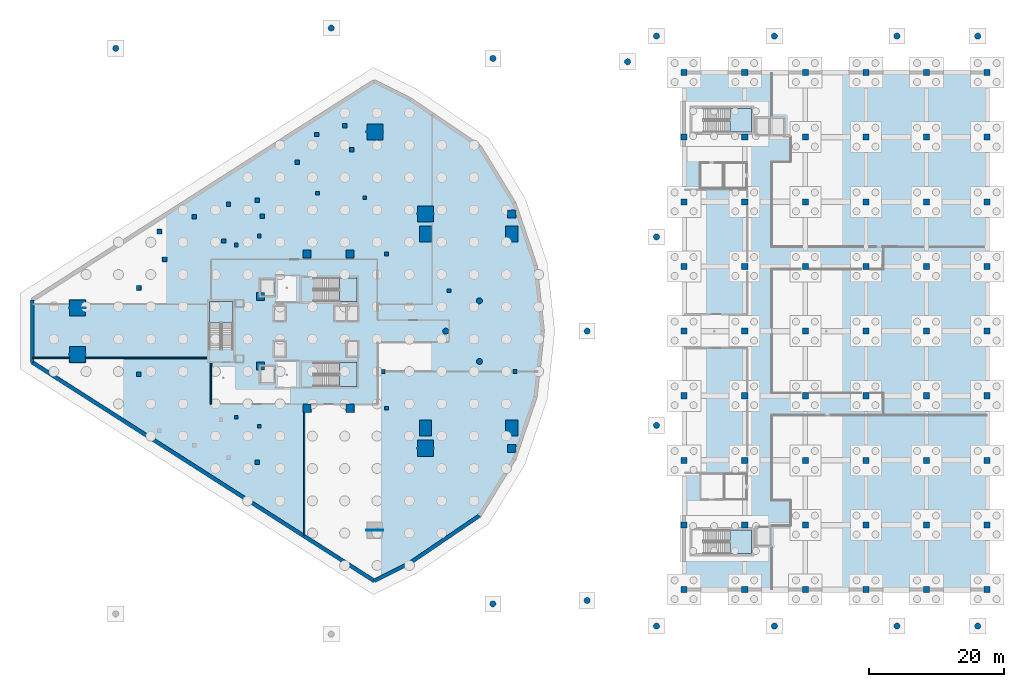
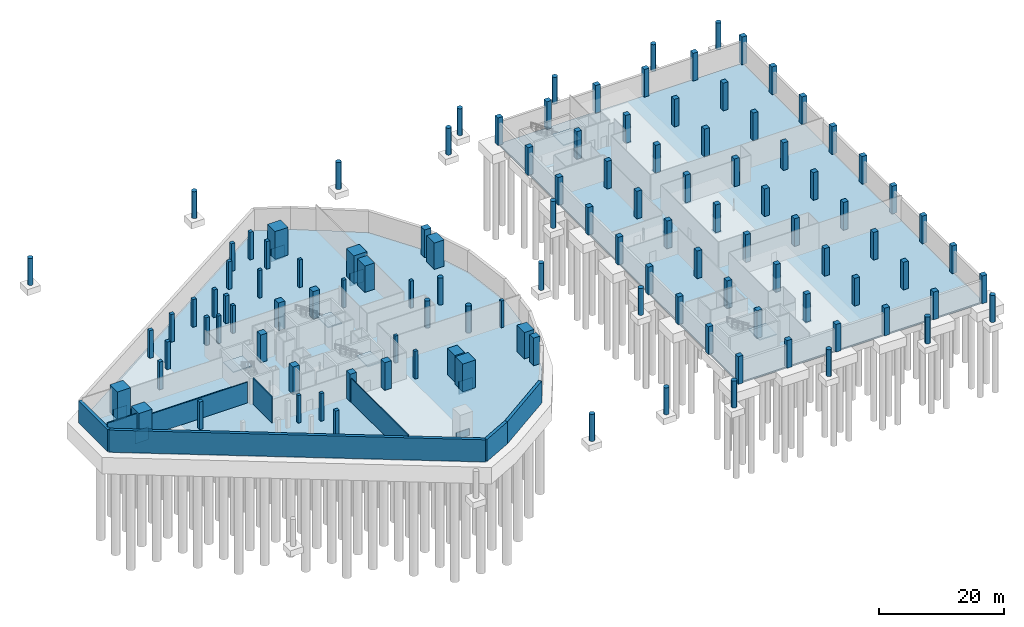
# One storey, part 4 of 22: 116 columns, 8 walls, 7 slabs, 6 plates, 5 elements without a shape of their own.
"""IFC4 building model written with IfcOpenShell, lengths in metres."""

from ifc_helpers import new_model, si_unit, direction, frame, frame_2d, origin, origin_2d, place, context, subcontext, project, spatial, polyline, rectangle, circle, outline, extrude, material, layer, layer_set, material_profile, profile_set, type_object, element, aggregate, save


model = new_model("IFC4")

# Units and contexts
model_context = context("Model", 3, precision=1e-05, world=origin(), true_north=direction((0.0, 1.0)))
body_context = subcontext(model_context, "Body", "Model", "MODEL_VIEW")
ifc_project = project(units=[si_unit("LENGTHUNIT", "METRE"), si_unit("AREAUNIT", "SQUARE_METRE"), si_unit("VOLUMEUNIT", "CUBIC_METRE"), si_unit("PLANEANGLEUNIT", "RADIAN"), si_unit("MASSUNIT", "GRAM", prefix="KILO")], contexts=[model_context])

# Site, building, storey
site_placement = place(None, origin())
site = spatial("IfcSite", under=ifc_project, at=site_placement, CompositionType="ELEMENT")
building_placement = place(site_placement, origin())
building = spatial("IfcBuilding", under=site, at=building_placement, Name="Qorvath Tower", CompositionType="ELEMENT")
storey_placement = place(building_placement, frame((0.0, 0.0, -5.39990234375)))
storey = spatial("IfcBuildingStorey", under=building, at=storey_placement, Name="B01", CompositionType="ELEMENT", Elevation=-5.39990234375)

# Columns
ifc_material_1 = material(Name="Concrete C70/85", Category="concrete")
ifc_material_profile_1 = material_profile(ifc_material_1, rectangle(XDim=1.800048828125, YDim=2.39990234375, at=origin_2d()), Name="ARCH 2400x1800")
ifc_profile_set_1 = profile_set([ifc_material_profile_1], Name="Concrete C70/85")
column_type_1 = type_object("IfcColumnType", Name="COL-ARCH1", PredefinedType="PILASTER", material=ifc_profile_set_1)
for number, where, z_axis, x_axis, name in (
    (1, (6.800048828125, 14.39990234375, 0.0), (0.0, 0.0, 1.0), (1.0, 0.0, 0.0), "Giant Arch Base Pier FRONT-N"),
    (2, (6.800048828125, -14.39990234375, 0.0), (0.0, 0.0, 1.0), (1.0, 0.0, 0.0), "Giant Arch Base Pier FRONT-S"),
    (3, (-6.0, 14.39990234375, 0.0), (0.0, 0.0, 1.0), (1.0, 0.0, 0.0), "Giant Arch Base Pier INNER-N"),
    (4, (-6.0, -14.39990234375, 0.0), (0.0, 0.0, 1.0), (1.0, 0.0, 0.0), "Giant Arch Base Pier INNER-S"),
):
    element("IfcColumn", number, at=place(storey_placement, frame(where, z_axis=z_axis, x_axis=x_axis)), inside=storey, type_object=column_type_1, Name=name, PredefinedType="PILASTER", context=body_context, shape_type="SweptSolid", body=[
        extrude(rectangle(XDim=1.800048828125, YDim=2.39990234375, at=origin_2d()), origin(), (0.0, 0.0, 1.0), 5.139892578125),
    ])
ifc_material_2 = material(Name="Concrete C70/85", Category="concrete")
ifc_material_profile_2 = material_profile(ifc_material_2, rectangle(XDim=2.39990234375, YDim=2.39990234375, at=origin_2d()), Name="MC 2400x2400")
ifc_profile_set_2 = profile_set([ifc_material_profile_2], Name="Concrete C70/85")
column_type_2 = type_object("IfcColumnType", Name="COL-MC1", PredefinedType="COLUMN", material=ifc_profile_set_2)
for number, where, z_axis, x_axis, name in (
    (5, (-57.679931640625, 3.4560546875, 0.0), (0.0, 0.0, 1.0), (1.0, 0.0, 0.0), "Composite Mega-Column MC1 B01"),
    (6, (-57.679931640625, -3.4560546875, 0.0), (0.0, 0.0, 1.0), (1.0, 0.0, 0.0), "Composite Mega-Column MC2 B01"),
    (7, (-6.0, -17.39990234375, 0.0), (0.0, 0.0, 1.0), (1.0, 0.0, 0.0), "Composite Mega-Column MC4 B01"),
    (8, (-6.0, 17.39990234375, 0.0), (0.0, 0.0, 1.0), (1.0, 0.0, 0.0), "Composite Mega-Column MC5 B01"),
    (9, (-13.52001953125, 29.568115234375, 0.0), (0.0, 0.0, 1.0), (1.0, 0.0, 0.0), "Composite Mega-Column MC6 B01"),
):
    element("IfcColumn", number, at=place(storey_placement, frame(where, z_axis=z_axis, x_axis=x_axis)), inside=storey, type_object=column_type_2, Name=name, PredefinedType="COLUMN", context=body_context, shape_type="SweptSolid", body=[
        extrude(rectangle(XDim=2.39990234375, YDim=2.39990234375, at=origin_2d()), origin(), (0.0, 0.0, 1.0), 5.39990234375),
    ])
ifc_material_3 = material(Name="Concrete C60/75", Category="concrete")
ifc_material_profile_3 = material_profile(ifc_material_3, rectangle(XDim=1.199951171875, YDim=1.199951171875, at=origin_2d()), Name="RC 1200x1200")
ifc_profile_set_3 = profile_set([ifc_material_profile_3], Name="Concrete C60/75")
column_type_3 = type_object("IfcColumnType", Name="COL-RC1", PredefinedType="COLUMN", material=ifc_profile_set_3)
for number, where, z_axis, x_axis, name in (
    (10, (6.800048828125, 17.39990234375, 0.0), (0.0, 0.0, 1.0), (1.0, 0.0, 0.0), "Arch Portal Pier FRONT-N B01"),
    (11, (6.800048828125, -17.39990234375, 0.0), (0.0, 0.0, 1.0), (1.0, 0.0, 0.0), "Arch Portal Pier FRONT-S B01"),
    (12, (-23.60009765625, 11.449951171875, 0.0), (0.0, 0.0, 1.0), (1.0, 0.0, 0.0), "Core Spine Column CC1 B01"),
    (13, (-17.199951171875, 11.449951171875, 0.0), (0.0, 0.0, 1.0), (1.0, 0.0, 0.0), "Core Spine Column CC2 B01"),
    (14, (-17.199951171875, -11.449951171875, 0.0), (0.0, 0.0, 1.0), (1.0, 0.0, 0.0), "Core Spine Column CC3 B01"),
    (15, (-23.60009765625, -11.449951171875, 0.0), (0.0, 0.0, 1.0), (1.0, 0.0, 0.0), "Core Spine Column CC4 B01"),
    (16, (-30.5, 5.14990234375, 0.0), (0.0, 0.0, 1.0), (1.0, 0.0, 0.0), "Core Spine Column CC5 B01"),
    (17, (-30.5, -5.14990234375, 0.0), (0.0, 0.0, 1.0), (1.0, 0.0, 0.0), "Core Spine Column CC6 B01"),
):
    element("IfcColumn", number, at=place(storey_placement, frame(where, z_axis=z_axis, x_axis=x_axis)), inside=storey, type_object=column_type_3, Name=name, PredefinedType="COLUMN", context=body_context, shape_type="SweptSolid", body=[
        extrude(rectangle(XDim=1.199951171875, YDim=1.199951171875, at=origin_2d()), origin(), (0.0, 0.0, 1.0), 5.39990234375),
    ])
ifc_material_4 = material(Name="Concrete C50/60", Category="concrete")
ifc_material_profile_4 = material_profile(ifc_material_4, rectangle(XDim=0.89990234375, YDim=0.89990234375, at=origin_2d()), Name="RC 900x900")
ifc_profile_set_4 = profile_set([ifc_material_profile_4], Name="Concrete C50/60")
column_type_4 = type_object("IfcColumnType", Name="COL-RC3", PredefinedType="COLUMN", material=ifc_profile_set_4)
for number, where, z_axis, x_axis, name in (
    (18, (32.39990234375, -38.39990234375, 0.0), (0.0, 0.0, 1.0), (1.0, 0.0, 0.0), "Library Column 1-1 B01"),
    (19, (32.39990234375, -28.800048828125, 0.0), (0.0, 0.0, 1.0), (1.0, 0.0, 0.0), "Library Column 1-2 B01"),
    (20, (32.39990234375, -19.199951171875, 0.0), (0.0, 0.0, 1.0), (1.0, 0.0, 0.0), "Library Column 1-3 B01"),
    (21, (32.39990234375, -9.60009765625, 0.0), (0.0, 0.0, 1.0), (1.0, 0.0, 0.0), "Library Column 1-4 B01"),
    (22, (32.39990234375, 0.0, 0.0), (0.0, 0.0, 1.0), (1.0, 0.0, 0.0), "Library Column 1-5 B01"),
    (23, (32.39990234375, 9.60009765625, 0.0), (0.0, 0.0, 1.0), (1.0, 0.0, 0.0), "Library Column 1-6 B01"),
    (24, (32.39990234375, 19.199951171875, 0.0), (0.0, 0.0, 1.0), (1.0, 0.0, 0.0), "Library Column 1-7 B01"),
    (25, (32.39990234375, 28.800048828125, 0.0), (0.0, 0.0, 1.0), (1.0, 0.0, 0.0), "Library Column 1-8 B01"),
    (26, (32.39990234375, 38.39990234375, 0.0), (0.0, 0.0, 1.0), (1.0, 0.0, 0.0), "Library Column 1-9 B01"),
    (27, (41.39990234375, -38.39990234375, 0.0), (0.0, 0.0, 1.0), (1.0, 0.0, 0.0), "Library Column 2-1 B01"),
    (28, (41.39990234375, -28.800048828125, 0.0), (0.0, 0.0, 1.0), (1.0, 0.0, 0.0), "Library Column 2-2 B01"),
    (29, (41.39990234375, -19.199951171875, 0.0), (0.0, 0.0, 1.0), (1.0, 0.0, 0.0), "Library Column 2-3 B01"),
    (30, (41.39990234375, -9.60009765625, 0.0), (0.0, 0.0, 1.0), (1.0, 0.0, 0.0), "Library Column 2-4 B01"),
    (31, (41.39990234375, 0.0, 0.0), (0.0, 0.0, 1.0), (1.0, 0.0, 0.0), "Library Column 2-5 B01"),
    (32, (41.39990234375, 9.60009765625, 0.0), (0.0, 0.0, 1.0), (1.0, 0.0, 0.0), "Library Column 2-6 B01"),
    (33, (41.39990234375, 19.199951171875, 0.0), (0.0, 0.0, 1.0), (1.0, 0.0, 0.0), "Library Column 2-7 B01"),
    (34, (41.39990234375, 28.800048828125, 0.0), (0.0, 0.0, 1.0), (1.0, 0.0, 0.0), "Library Column 2-8 B01"),
    (35, (41.39990234375, 38.39990234375, 0.0), (0.0, 0.0, 1.0), (1.0, 0.0, 0.0), "Library Column 2-9 B01"),
    (36, (50.39990234375, -38.39990234375, 0.0), (0.0, 0.0, 1.0), (1.0, 0.0, 0.0), "Library Column 3-1 B01"),
    (37, (50.39990234375, -28.800048828125, 0.0), (0.0, 0.0, 1.0), (1.0, 0.0, 0.0), "Library Column 3-2 B01"),
    (38, (50.39990234375, -19.199951171875, 0.0), (0.0, 0.0, 1.0), (1.0, 0.0, 0.0), "Library Column 3-3 B01"),
    (39, (50.39990234375, -9.60009765625, 0.0), (0.0, 0.0, 1.0), (1.0, 0.0, 0.0), "Library Column 3-4 B01"),
    (40, (50.39990234375, 0.0, 0.0), (0.0, 0.0, 1.0), (1.0, 0.0, 0.0), "Library Column 3-5 B01"),
    (41, (50.39990234375, 9.60009765625, 0.0), (0.0, 0.0, 1.0), (1.0, 0.0, 0.0), "Library Column 3-6 B01"),
    (42, (50.39990234375, 19.199951171875, 0.0), (0.0, 0.0, 1.0), (1.0, 0.0, 0.0), "Library Column 3-7 B01"),
    (43, (50.39990234375, 28.800048828125, 0.0), (0.0, 0.0, 1.0), (1.0, 0.0, 0.0), "Library Column 3-8 B01"),
    (44, (50.39990234375, 38.39990234375, 0.0), (0.0, 0.0, 1.0), (1.0, 0.0, 0.0), "Library Column 3-9 B01"),
    (45, (59.39990234375, -38.39990234375, 0.0), (0.0, 0.0, 1.0), (1.0, 0.0, 0.0), "Library Column 4-1 B01"),
    (46, (59.39990234375, -28.800048828125, 0.0), (0.0, 0.0, 1.0), (1.0, 0.0, 0.0), "Library Column 4-2 B01"),
    (47, (59.39990234375, -19.199951171875, 0.0), (0.0, 0.0, 1.0), (1.0, 0.0, 0.0), "Library Column 4-3 B01"),
    (48, (59.39990234375, -9.60009765625, 0.0), (0.0, 0.0, 1.0), (1.0, 0.0, 0.0), "Library Column 4-4 B01"),
    (49, (59.39990234375, 0.0, 0.0), (0.0, 0.0, 1.0), (1.0, 0.0, 0.0), "Library Column 4-5 B01"),
    (50, (59.39990234375, 9.60009765625, 0.0), (0.0, 0.0, 1.0), (1.0, 0.0, 0.0), "Library Column 4-6 B01"),
    (51, (59.39990234375, 19.199951171875, 0.0), (0.0, 0.0, 1.0), (1.0, 0.0, 0.0), "Library Column 4-7 B01"),
    (52, (59.39990234375, 28.800048828125, 0.0), (0.0, 0.0, 1.0), (1.0, 0.0, 0.0), "Library Column 4-8 B01"),
    (53, (59.39990234375, 38.39990234375, 0.0), (0.0, 0.0, 1.0), (1.0, 0.0, 0.0), "Library Column 4-9 B01"),
    (54, (68.39990234375, -38.39990234375, 0.0), (0.0, 0.0, 1.0), (1.0, 0.0, 0.0), "Library Column 5-1 B01"),
    (55, (68.39990234375, -28.800048828125, 0.0), (0.0, 0.0, 1.0), (1.0, 0.0, 0.0), "Library Column 5-2 B01"),
    (56, (68.39990234375, -19.199951171875, 0.0), (0.0, 0.0, 1.0), (1.0, 0.0, 0.0), "Library Column 5-3 B01"),
    (57, (68.39990234375, -9.60009765625, 0.0), (0.0, 0.0, 1.0), (1.0, 0.0, 0.0), "Library Column 5-4 B01"),
    (58, (68.39990234375, 0.0, 0.0), (0.0, 0.0, 1.0), (1.0, 0.0, 0.0), "Library Column 5-5 B01"),
    (59, (68.39990234375, 9.60009765625, 0.0), (0.0, 0.0, 1.0), (1.0, 0.0, 0.0), "Library Column 5-6 B01"),
    (60, (68.39990234375, 19.199951171875, 0.0), (0.0, 0.0, 1.0), (1.0, 0.0, 0.0), "Library Column 5-7 B01"),
    (61, (68.39990234375, 28.800048828125, 0.0), (0.0, 0.0, 1.0), (1.0, 0.0, 0.0), "Library Column 5-8 B01"),
    (62, (68.39990234375, 38.39990234375, 0.0), (0.0, 0.0, 1.0), (1.0, 0.0, 0.0), "Library Column 5-9 B01"),
    (63, (77.39990234375, -38.39990234375, 0.0), (0.0, 0.0, 1.0), (1.0, 0.0, 0.0), "Library Column 6-1 B01"),
    (64, (77.39990234375, -28.800048828125, 0.0), (0.0, 0.0, 1.0), (1.0, 0.0, 0.0), "Library Column 6-2 B01"),
    (65, (77.39990234375, -19.199951171875, 0.0), (0.0, 0.0, 1.0), (1.0, 0.0, 0.0), "Library Column 6-3 B01"),
    (66, (77.39990234375, -9.60009765625, 0.0), (0.0, 0.0, 1.0), (1.0, 0.0, 0.0), "Library Column 6-4 B01"),
    (67, (77.39990234375, 0.0, 0.0), (0.0, 0.0, 1.0), (1.0, 0.0, 0.0), "Library Column 6-5 B01"),
    (68, (77.39990234375, 9.60009765625, 0.0), (0.0, 0.0, 1.0), (1.0, 0.0, 0.0), "Library Column 6-6 B01"),
    (69, (77.39990234375, 19.199951171875, 0.0), (0.0, 0.0, 1.0), (1.0, 0.0, 0.0), "Library Column 6-7 B01"),
    (70, (77.39990234375, 28.800048828125, 0.0), (0.0, 0.0, 1.0), (1.0, 0.0, 0.0), "Library Column 6-8 B01"),
    (71, (77.39990234375, 38.39990234375, 0.0), (0.0, 0.0, 1.0), (1.0, 0.0, 0.0), "Library Column 6-9 B01"),
):
    element("IfcColumn", number, at=place(storey_placement, frame(where, z_axis=z_axis, x_axis=x_axis)), inside=storey, type_object=column_type_4, Name=name, PredefinedType="COLUMN", context=body_context, shape_type="SweptSolid", body=[
        extrude(rectangle(XDim=0.89990234375, YDim=0.89990234375, at=origin_2d()), origin(), (0.0, 0.0, 1.0), 5.39990234375),
    ])
ifc_material_5 = material(Name="Concrete C45/55", Category="concrete")
ifc_material_profile_5 = material_profile(ifc_material_5, rectangle(XDim=0.64990234375, YDim=0.64990234375, at=origin_2d()), Name="RC 650x650")
ifc_profile_set_5 = profile_set([ifc_material_profile_5], Name="Concrete C45/55")
column_type_5 = type_object("IfcColumnType", Name="COL-RC6", PredefinedType="COLUMN", material=ifc_profile_set_5)
for number, where, z_axis, x_axis, name in (
    (72, (-45.536376953125, 14.774658203125, 0.0), (0.0, 0.0, 1.0), (1.0, 0.0, 0.0), "Loggia Frame Pier Column LGA1 B01"),
    (73, (-22.13134765625, 29.20556640625, 0.0), (0.0, 0.0, 1.0), (1.0, 0.0, 0.0), "Loggia Frame Pier Column LGA3 B01"),
    (74, (-40.33251953125, 16.955810546875, 0.0), (0.0, 0.0, 1.0), (1.0, 0.0, 0.0), "Loggia Frame Pier Column LGB1 B01"),
    (75, (-18.0, 30.5, 0.0), (0.0, 0.0, 1.0), (1.0, 0.0, 0.0), "Loggia Frame Pier Column LGB3 B01"),
    (76, (-35.251708984375, 18.829345703125, 0.0), (0.0, 0.0, 1.0), (1.0, 0.0, 0.0), "Loggia Frame Pier Column LGC1 B01"),
    (77, (-25.03759765625, 25.058837890625, 0.0), (0.0, 0.0, 1.0), (1.0, 0.0, 0.0), "Loggia Frame Pier Column LGC3 B01"),
    (78, (-31.01611328125, 19.46044921875, 0.0), (0.0, 0.0, 1.0), (1.0, 0.0, 0.0), "Loggia Frame Pier Column LGD1 B01"),
    (79, (-31.01611328125, -19.46044921875, 0.0), (0.0, 0.0, 1.0), (1.0, 0.0, 0.0), "Loggia Frame Pier Column LGD2 B01"),
    (80, (-44.736328125, 10.65234375, 0.0), (0.0, 0.0, 1.0), (1.0, 0.0, 0.0), "Loggia Frame Pier Column LGD3 B01"),
    (81, (-48.578369140625, 6.424560546875, 0.0), (0.0, 0.0, 1.0), (1.0, 0.0, 0.0), "Loggia Frame Pier Column LGE1 B01"),
    (82, (-48.578369140625, -6.424560546875, 0.0), (0.0, 0.0, 1.0), (1.0, 0.0, 0.0), "Loggia Frame Pier Column LGE2 B01"),
    (83, (-16.981201171875, 26.92919921875, 0.0), (0.0, 0.0, 1.0), (1.0, 0.0, 0.0), "Loggia Frame Pier Column LGE3 B01"),
    (84, (-35.980712890625, 13.380859375, 0.0), (0.0, 0.0, 1.0), (1.0, 0.0, 0.0), "Loggia Frame Pier Column LGF1 B01"),
    (85, (-30.224853515625, 17.0595703125, 0.0), (0.0, 0.0, 1.0), (1.0, 0.0, 0.0), "Loggia Frame Pier Column LGF3 B01"),
):
    element("IfcColumn", number, at=place(storey_placement, frame(where, z_axis=z_axis, x_axis=x_axis)), inside=storey, type_object=column_type_5, Name=name, PredefinedType="COLUMN", context=body_context, shape_type="SweptSolid", body=[
        extrude(rectangle(XDim=0.64990234375, YDim=0.64990234375, at=origin_2d()), origin(), (0.0, 0.0, 1.0), 5.39990234375),
    ])
ifc_material_6 = material(Name="Concrete C45/55", Category="concrete")
ifc_material_profile_6 = material_profile(ifc_material_6, rectangle(XDim=0.550048828125, YDim=0.550048828125, at=origin_2d()), Name="RC 550x550")
ifc_profile_set_6 = profile_set([ifc_material_profile_6], Name="Concrete C45/55")
column_type_6 = type_object("IfcColumnType", Name="COL-RC7", PredefinedType="COLUMN", material=ifc_profile_set_6)
for number, where, z_axis, x_axis, name in (
    (86, (-12.300048828125, -6.0, -0.60009765625), (0.0, 0.0, 1.0), (1.0, 0.0, 0.0), "West Plaza Over-Basement Support Pier 02-1"),
    (87, (7.300048828125, -6.0, -0.60009765625), (0.0, 0.0, 1.0), (1.0, 0.0, 0.0), "West Plaza Over-Basement Support Pier 02-2"),
    (88, (-2.5, 6.0, -0.60009765625), (0.0, 0.0, 1.0), (1.0, 0.0, 0.0), "West Plaza Over-Basement Support Pier 02-3"),
):
    element("IfcColumn", number, at=place(storey_placement, frame(where, z_axis=z_axis, x_axis=x_axis)), inside=storey, type_object=column_type_6, Name=name, PredefinedType="COLUMN", context=body_context, shape_type="SweptSolid", body=[
        extrude(rectangle(XDim=0.550048828125, YDim=0.550048828125, at=origin_2d()), origin(), (0.0, 0.0, 1.0), 5.85009765625),
    ])
for number, where, z_axis, x_axis, name in (
    (89, (-34.104248046875, 12.79248046875, 0.0), (0.0, 0.0, 1.0), (1.0, 0.0, 0.0), "Loggia Frame Pier Column LGG1 B01"),
    (90, (-34.104248046875, -12.79248046875, 0.0), (0.0, 0.0, 1.0), (1.0, 0.0, 0.0), "Loggia Frame Pier Column LGG2 B01"),
    (91, (-22.05322265625, 20.494873046875, 0.0), (0.0, 0.0, 1.0), (1.0, 0.0, 0.0), "Loggia Frame Pier Column LGG3 B01"),
    (92, (-30.67724609375, 14.124267578125, 0.0), (0.0, 0.0, 1.0), (1.0, 0.0, 0.0), "Loggia Frame Pier Column LGH1 B01"),
    (93, (-30.67724609375, -14.124267578125, 0.0), (0.0, 0.0, 1.0), (1.0, 0.0, 0.0), "Loggia Frame Pier Column LGH2 B01"),
    (94, (-15.046142578125, 19.818115234375, 0.0), (0.0, 0.0, 1.0), (1.0, 0.0, 0.0), "Loggia Frame Pier Column LGH3 B01"),
    (95, (-11.800048828125, -11.449951171875, 0.0), (0.0, 0.0, 1.0), (1.0, 0.0, 0.0), "Central Slot Jamb Column SC1 B01"),
    (96, (-11.800048828125, 11.449951171875, 0.0), (0.0, 0.0, 1.0), (1.0, 0.0, 0.0), "Central Slot Jamb Column SC2 B01"),
):
    element("IfcColumn", number, at=place(storey_placement, frame(where, z_axis=z_axis, x_axis=x_axis)), inside=storey, type_object=column_type_6, Name=name, PredefinedType="COLUMN", context=body_context, shape_type="SweptSolid", body=[
        extrude(rectangle(XDim=0.550048828125, YDim=0.550048828125, at=origin_2d()), origin(), (0.0, 0.0, 1.0), 5.39990234375),
    ])
ifc_material_7 = material(Name="Concrete C50/60", Category="concrete")
ifc_material_profile_7 = material_profile(ifc_material_7, circle(Radius=0.449951171875, at=origin_2d()), Name="RCC 900")
ifc_profile_set_7 = profile_set([ifc_material_profile_7], Name="Concrete C50/60")
column_type_7 = type_object("IfcColumnType", Name="COL-RCC", PredefinedType="COLUMN", material=ifc_profile_set_7)
for number, where, z_axis, x_axis, name in (
    (97, (18.0, -40.0, 0.0), (0.0, 0.0, 1.0), (1.0, 0.0, 0.0), "Plaza Support Pier Column 01"),
    (98, (18.0, 0.0, 0.0), (0.0, 0.0, 1.0), (1.0, 0.0, 0.0), "Plaza Support Pier Column 02"),
    (99, (24.0, 40.0, 0.0), (0.0, 0.0, 1.0), (1.0, 0.0, 0.0), "Plaza Support Pier Column 03"),
    (100, (2.0, -4.5, 0.0), (0.0, 0.0, 1.0), (1.0, 0.0, 0.0), "Plaza Support Pier Column 04"),
    (101, (2.0, 4.5, 0.0), (0.0, 0.0, 1.0), (1.0, 0.0, 0.0), "Plaza Support Pier Column 05"),
    (102, (-3.0, 0.0, 0.0), (0.0, 0.0, 1.0), (1.0, 0.0, 0.0), "Plaza Support Pier Column 06"),
    (103, (-52.0, 42.0, 0.0), (0.0, 0.0, 1.0), (1.0, 0.0, 0.0), "Plaza Support Pier Column 07"),
    (104, (-20.0, 45.0, 0.0), (0.0, 0.0, 1.0), (1.0, 0.0, 0.0), "Plaza Support Pier Column 08"),
    (105, (4.0, 40.5, 0.0), (0.0, 0.0, 1.0), (1.0, 0.0, 0.0), "Plaza Support Pier Column 09"),
    (106, (4.0, -40.5, 0.0), (0.0, 0.0, 1.0), (1.0, 0.0, 0.0), "Plaza Support Pier Column 12"),
    (107, (28.300048828125, -43.800048828125, 0.0), (0.0, 0.0, 1.0), (1.0, 0.0, 0.0), "Plaza Support Pier Column 13"),
    (108, (28.300048828125, -14.0, 0.0), (0.0, 0.0, 1.0), (1.0, 0.0, 0.0), "Plaza Support Pier Column 14"),
    (109, (28.300048828125, 14.0, 0.0), (0.0, 0.0, 1.0), (1.0, 0.0, 0.0), "Plaza Support Pier Column 15"),
    (110, (28.300048828125, 43.800048828125, 0.0), (0.0, 0.0, 1.0), (1.0, 0.0, 0.0), "Plaza Support Pier Column 16"),
    (111, (45.800048828125, 43.800048828125, 0.0), (0.0, 0.0, 1.0), (1.0, 0.0, 0.0), "Plaza Support Pier Column 17"),
    (112, (64.0, 43.800048828125, 0.0), (0.0, 0.0, 1.0), (1.0, 0.0, 0.0), "Plaza Support Pier Column 18"),
    (113, (76.0, 43.800048828125, 0.0), (0.0, 0.0, 1.0), (1.0, 0.0, 0.0), "Plaza Support Pier Column 19"),
    (114, (45.800048828125, -43.800048828125, 0.0), (0.0, 0.0, 1.0), (1.0, 0.0, 0.0), "Plaza Support Pier Column 20"),
    (115, (64.0, -43.800048828125, 0.0), (0.0, 0.0, 1.0), (1.0, 0.0, 0.0), "Plaza Support Pier Column 21"),
    (116, (76.0, -43.800048828125, 0.0), (0.0, 0.0, 1.0), (1.0, 0.0, 0.0), "Plaza Support Pier Column 22"),
):
    element("IfcColumn", number, at=place(storey_placement, frame(where, z_axis=z_axis, x_axis=x_axis)), inside=storey, type_object=column_type_7, Name=name, PredefinedType="COLUMN", context=body_context, shape_type="SweptSolid", body=[
        extrude(circle(Radius=0.449951171875, at=origin_2d()), origin(), (0.0, 0.0, 1.0), 5.25),
    ])

# Plates
ifc_material_8 = material(Name="Steel ASTM A572 Grade 50", Category="steel")
ifc_layer_1 = layer(ifc_material_8, 0.080078125)
ifc_layer_set_1 = layer_set([ifc_layer_1], Name="PL-MCB1")
plate_type = type_object("IfcPlateType", Name="PL-MCB1", PredefinedType="SHEET", material=ifc_layer_set_1)
for number, where, z_axis, x_axis, name in (
    (117, (-57.679931640625, 3.4560546875, -1.210205078125), (0.0, 0.0, 1.0), (1.0, 0.0, 0.0), "Mega-Column Base Plate MC1"),
    (118, (-57.679931640625, -3.4560546875, -1.210205078125), (0.0, 0.0, 1.0), (1.0, 0.0, 0.0), "Mega-Column Base Plate MC2"),
    (119, (-13.52001953125, -29.568115234375, -1.210205078125), (0.0, 0.0, 1.0), (1.0, 0.0, 0.0), "Mega-Column Base Plate MC3"),
    (120, (-6.0, -17.39990234375, -1.210205078125), (0.0, 0.0, 1.0), (1.0, 0.0, 0.0), "Mega-Column Base Plate MC4"),
    (121, (-6.0, 17.39990234375, -1.210205078125), (0.0, 0.0, 1.0), (1.0, 0.0, 0.0), "Mega-Column Base Plate MC5"),
    (122, (-13.52001953125, 29.568115234375, -1.210205078125), (0.0, 0.0, 1.0), (1.0, 0.0, 0.0), "Mega-Column Base Plate MC6"),
):
    element("IfcPlate", number, at=place(storey_placement, frame(where, z_axis=z_axis, x_axis=x_axis)), inside=storey, type_object=plate_type, Name=name, PredefinedType="SHEET", context=body_context, shape_type="SweptSolid", body=[
        extrude(rectangle(XDim=2.5, YDim=0.080078125, at=origin_2d()), origin(), (0.0, 0.0, 1.0), 2.5),
    ])

# Slabs
ifc_material_9 = material(Name="Concrete C50/60", Category="concrete")
ifc_layer_2 = layer(ifc_material_9, 0.35009765625)
ifc_layer_set_2 = layer_set([ifc_layer_2], Name="SL-B01-350")
slab_type_1 = type_object("IfcSlabType", Name="SL-B01-350", PredefinedType="BASESLAB", material=ifc_layer_set_2)
slab_1_placement = place(storey_placement, frame((0.0, 0.0, -0.35009765625)))
element("IfcSlab", 123, at=slab_1_placement, inside=storey, type_object=slab_type_1, Name="Tower B01 Base Slab", PredefinedType="BASESLAB", context=body_context, shape_type="SweptSolid", body=[
    extrude(outline(polyline([(-64.419189453125, 4.63671875), (-64.419189453125, -4.63671875), (-13.63525390625, -37.094482421875), (-8.3359375, -34.44482421875), (2.0205078125, -27.39501953125), (7.139404296875, -19.029052734375), (10.3125, -9.748779296875), (11.387451171875, 0.0), (10.3125, 9.748779296875), (7.139404296875, 19.029052734375), (2.0205078125, 27.39501953125), (-8.3359375, 34.44482421875), (-13.63525390625, 37.094482421875), (-64.419189453125, 4.63671875)])), origin(), (0.0, 0.0, 1.0), 0.35009765625),
])
ifc_material_10 = material(Name="Concrete C45/55", Category="concrete")
ifc_layer_3 = layer(ifc_material_10, 0.320068359375)
ifc_layer_set_3 = layer_set([ifc_layer_3], Name="SL-LIB-ARC-320")
slab_type_2 = type_object("IfcSlabType", Name="SL-LIB-ARC-320", PredefinedType="BASESLAB", material=ifc_layer_set_3)
slab_2_placement = place(storey_placement, frame((0.0, 0.0, -0.320068359375)))
element("IfcSlab", 124, at=slab_2_placement, inside=storey, type_object=slab_type_2, Name="Central Library B01 Floor Slab", PredefinedType="BASESLAB", context=body_context, shape_type="SweptSolid", body=[
    extrude(outline(polyline([(77.39990234375, 38.39990234375), (32.39990234375, 38.39990234375), (32.39990234375, -38.39990234375), (77.39990234375, -38.39990234375), (77.39990234375, 38.39990234375)])), origin(), (0.0, 0.0, 1.0), 0.320068359375),
])

# Stair, slab
ifc_material_11 = material(Name="Concrete C50/60", Category="concrete")
stair_type = type_object("IfcStairType", Name="ST-H540", PredefinedType="HALF_TURN_STAIR", material=ifc_material_11)
stair_1_placement = place(storey_placement, origin())
stair_1 = element("IfcStair", 125, at=stair_1_placement, inside=storey, type_object=stair_type, Name="B01 Library Exit Stair 1", PredefinedType="HALF_TURN_STAIR")
ifc_material_12 = material(Name="Concrete C50/60", Category="concrete")
ifc_layer_4 = layer(ifc_material_12, 0.199951171875)
ifc_layer_set_4 = layer_set([ifc_layer_4], Name="SL-LND-200")
slab_type_3 = type_object("IfcSlabType", Name="SL-LND-200", PredefinedType="LANDING", material=ifc_layer_set_4)
slab_3_placement = place(storey_placement, frame((0.0, 0.0, 2.5)))
slab_3 = element("IfcSlab", 126, at=slab_3_placement, type_object=slab_type_3, Name="LS1 landing 1", PredefinedType="LANDING", context=body_context, shape_type="SweptSolid", body=[
    extrude(outline(polyline([(39.199951171875, 29.550048828125), (42.39990234375, 29.550048828125), (42.39990234375, 33.06005859375), (39.199951171875, 33.06005859375), (39.199951171875, 29.550048828125)])), origin(), (0.0, 0.0, 1.0), 0.199951171875),
])
aggregate(stair_1, [slab_3])

stair_2_placement = place(storey_placement, origin())
stair_2 = element("IfcStair", 127, at=stair_2_placement, inside=storey, type_object=stair_type, Name="B01 Library Exit Stair 2", PredefinedType="HALF_TURN_STAIR")
slab_4_placement = place(storey_placement, frame((0.0, 0.0, 2.5)))
slab_4 = element("IfcSlab", 128, at=slab_4_placement, type_object=slab_type_3, Name="LS2 landing 1", PredefinedType="LANDING", context=body_context, shape_type="SweptSolid", body=[
    extrude(outline(polyline([(39.199951171875, -33.050048828125), (42.39990234375, -33.050048828125), (42.39990234375, -29.5400390625), (39.199951171875, -29.5400390625), (39.199951171875, -33.050048828125)])), origin(), (0.0, 0.0, 1.0), 0.199951171875),
])
aggregate(stair_2, [slab_4])

stair_3_placement = place(storey_placement, origin())
stair_3 = element("IfcStair", 129, at=stair_3_placement, inside=storey, type_object=stair_type, Name="B01 Tower Exit Stair 1", PredefinedType="HALF_TURN_STAIR")
slab_5_placement = place(storey_placement, frame((0.0, 0.0, 2.5)))
slab_5 = element("IfcSlab", 130, at=slab_5_placement, type_object=slab_type_3, Name="TS1 landing 1", PredefinedType="LANDING", context=body_context, shape_type="SweptSolid", body=[
    extrude(outline(polyline([(-18.75, 4.39990234375), (-16.199951171875, 4.39990234375), (-16.199951171875, 7.909912109375), (-18.75, 7.909912109375), (-18.75, 4.39990234375)])), origin(), (0.0, 0.0, 1.0), 0.199951171875),
])
aggregate(stair_3, [slab_5])

stair_4_placement = place(storey_placement, origin())
stair_4 = element("IfcStair", 131, at=stair_4_placement, inside=storey, type_object=stair_type, Name="B01 Tower Exit Stair 2", PredefinedType="HALF_TURN_STAIR")
slab_6_placement = place(storey_placement, frame((0.0, 0.0, 2.5)))
slab_6 = element("IfcSlab", 132, at=slab_6_placement, type_object=slab_type_3, Name="TS2 landing 1", PredefinedType="LANDING", context=body_context, shape_type="SweptSolid", body=[
    extrude(outline(polyline([(-18.75, -8.199951171875), (-16.199951171875, -8.199951171875), (-16.199951171875, -4.68994140625), (-18.75, -4.68994140625), (-18.75, -8.199951171875)])), origin(), (0.0, 0.0, 1.0), 0.199951171875),
])
aggregate(stair_4, [slab_6])

stair_5_placement = place(storey_placement, origin())
stair_5 = element("IfcStair", 133, at=stair_5_placement, inside=storey, type_object=stair_type, Name="B01 Tower Exit Stair 3", PredefinedType="HALF_TURN_STAIR")
slab_7_placement = place(storey_placement, frame((0.0, 0.0, 2.5)))
slab_7 = element("IfcSlab", 134, at=slab_7_placement, type_object=slab_type_3, Name="TS3 landing 1", PredefinedType="LANDING", context=body_context, shape_type="SweptSolid", body=[
    extrude(outline(polyline([(-34.60009765625, 1.199951171875), (-34.60009765625, 4.39990234375), (-38.110107421875, 4.39990234375), (-38.110107421875, 1.199951171875), (-34.60009765625, 1.199951171875)])), origin(), (0.0, 0.0, 1.0), 0.199951171875),
])
aggregate(stair_5, [slab_7])

# Walls
ifc_material_13 = material(Name="Gypsum shaftliner on steel studs", Category="steel")
ifc_layer_5 = layer(ifc_material_13, 0.179931640625)
ifc_layer_set_5 = layer_set([ifc_layer_5], Name="FW-LOBBY")
wall_type_1 = type_object("IfcWallType", Name="FW-LOBBY", PredefinedType="PARTITIONING", material=ifc_layer_set_5)
wall_1_placement = place(storey_placement, frame((-24.0, -30.389892578125, 0.0), z_axis=(0.0, 0.0, 1.0), x_axis=(0.0, 1.0, 0.0)))
element("IfcWall", 135, at=wall_1_placement, inside=storey, type_object=wall_type_1, Name="Interior Partition IW-T1-B01-013", PredefinedType="PARTITIONING", context=body_context, shape_type="SweptSolid", body=[
    extrude(rectangle(XDim=18.27490234375, YDim=0.179931640625, at=frame_2d((9.137451171875, 0.0))), origin(), (0.0, 0.0, 1.0), 4.61279296875),
])
wall_2_placement = place(storey_placement, frame((-37.85791015625, -10.8330078125, 0.0), z_axis=(0.0, 0.0, 1.0), x_axis=(0.0, 1.0, 0.0)))
element("IfcWall", 136, at=wall_2_placement, inside=storey, type_object=wall_type_1, Name="Interior Partition IW-T1-B01-015", PredefinedType="PARTITIONING", context=body_context, shape_type="SweptSolid", body=[
    extrude(rectangle(XDim=6.0498046875, YDim=0.179931640625, at=frame_2d((3.02490234375, 0.0))), origin(), (0.0, 0.0, 1.0), 5.099853515625),
])
wall_3_placement = place(storey_placement, frame((-38.492919921875, -4.0, 0.0), z_axis=(0.0, 0.0, 1.0), x_axis=(-1.0, 0.0, 0.0)))
element("IfcWall", 137, at=wall_3_placement, inside=storey, type_object=wall_type_1, Name="Interior Partition IW-T1-B01-016", PredefinedType="PARTITIONING", context=body_context, shape_type="SweptSolid", body=[
    extrude(rectangle(XDim=17.922119140625, YDim=0.179931640625, at=frame_2d((8.9609375, 0.0))), origin(), (0.0, 0.0, 1.0), 4.06982421875),
])
wall_4_placement = place(storey_placement, frame((-58.945068359375, -4.0, 0.0), z_axis=(0.0, 0.0, 1.0), x_axis=(-1.0, 0.0, 0.0)))
element("IfcWall", 138, at=wall_4_placement, inside=storey, type_object=wall_type_1, Name="Interior Partition IW-T1-B01-017", PredefinedType="PARTITIONING", context=body_context, shape_type="SweptSolid", body=[
    extrude(rectangle(XDim=5.39404296875, YDim=0.179931640625, at=frame_2d((2.697021484375, 0.0))), origin(), (0.0, 0.0, 1.0), 5.099853515625),
])
ifc_material_14 = material(Name="Concrete C50/60", Category="concrete")
ifc_layer_6 = layer(ifc_material_14, 0.550048828125)
ifc_layer_set_6 = layer_set([ifc_layer_6], Name="WL-RW-550")
wall_type_2 = type_object("IfcWallType", Name="WL-RW-550", PredefinedType="USERDEFINED", material=ifc_layer_set_6)
wall_5_placement = place(storey_placement, frame((-64.419189453125, 4.63671875, 0.0), z_axis=(0.0, 0.0, 1.0), x_axis=(0.0, -1.0, 0.0)))
element("IfcWall", 139, at=wall_5_placement, inside=storey, type_object=wall_type_2, Name="Tower Basement Retaining Wall 1", ObjectType="RETAININGWALL", PredefinedType="USERDEFINED", context=body_context, shape_type="SweptSolid", body=[
    extrude(rectangle(XDim=9.2734375, YDim=0.550048828125, at=frame_2d((4.63671875, 0.0))), origin(), (0.0, 0.0, 1.0), 4.2998046875),
])
wall_6_placement = place(storey_placement, frame((-64.419189453125, -4.63671875, 0.0), z_axis=(0.0, 0.0, 1.0), x_axis=(0.842602364841, -0.538536214905, 0.0)))
element("IfcWall", 140, at=wall_6_placement, inside=storey, type_object=wall_type_2, Name="Tower Basement Retaining Wall 2", ObjectType="RETAININGWALL", PredefinedType="USERDEFINED", context=body_context, shape_type="SweptSolid", body=[
    extrude(rectangle(XDim=60.270263671875, YDim=0.550048828125, at=frame_2d((30.13525390625, 0.0))), origin(), (0.0, 0.0, 1.0), 4.2998046875),
])
wall_7_placement = place(storey_placement, frame((-13.63525390625, -37.094482421875, 0.0), z_axis=(0.0, 0.0, 1.0), x_axis=(0.894427191, 0.4472135955, 0.0)))
element("IfcWall", 141, at=wall_7_placement, inside=storey, type_object=wall_type_2, Name="Tower Basement Retaining Wall 3", ObjectType="RETAININGWALL", PredefinedType="USERDEFINED", context=body_context, shape_type="SweptSolid", body=[
    extrude(rectangle(XDim=5.9248046875, YDim=0.550048828125, at=frame_2d((2.96240234375, 0.0))), origin(), (0.0, 0.0, 1.0), 4.2998046875),
])
wall_8_placement = place(storey_placement, frame((-8.3359375, -34.44482421875, 0.0), z_axis=(0.0, 0.0, 1.0), x_axis=(0.826650936963, 0.562715050819, 0.0)))
element("IfcWall", 142, at=wall_8_placement, inside=storey, type_object=wall_type_2, Name="Tower Basement Retaining Wall 4", ObjectType="RETAININGWALL", PredefinedType="USERDEFINED", context=body_context, shape_type="SweptSolid", body=[
    extrude(rectangle(XDim=12.528076171875, YDim=0.550048828125, at=frame_2d((6.26416015625, 0.0))), origin(), (0.0, 0.0, 1.0), 4.2998046875),
])

save(model, "model.ifc")
